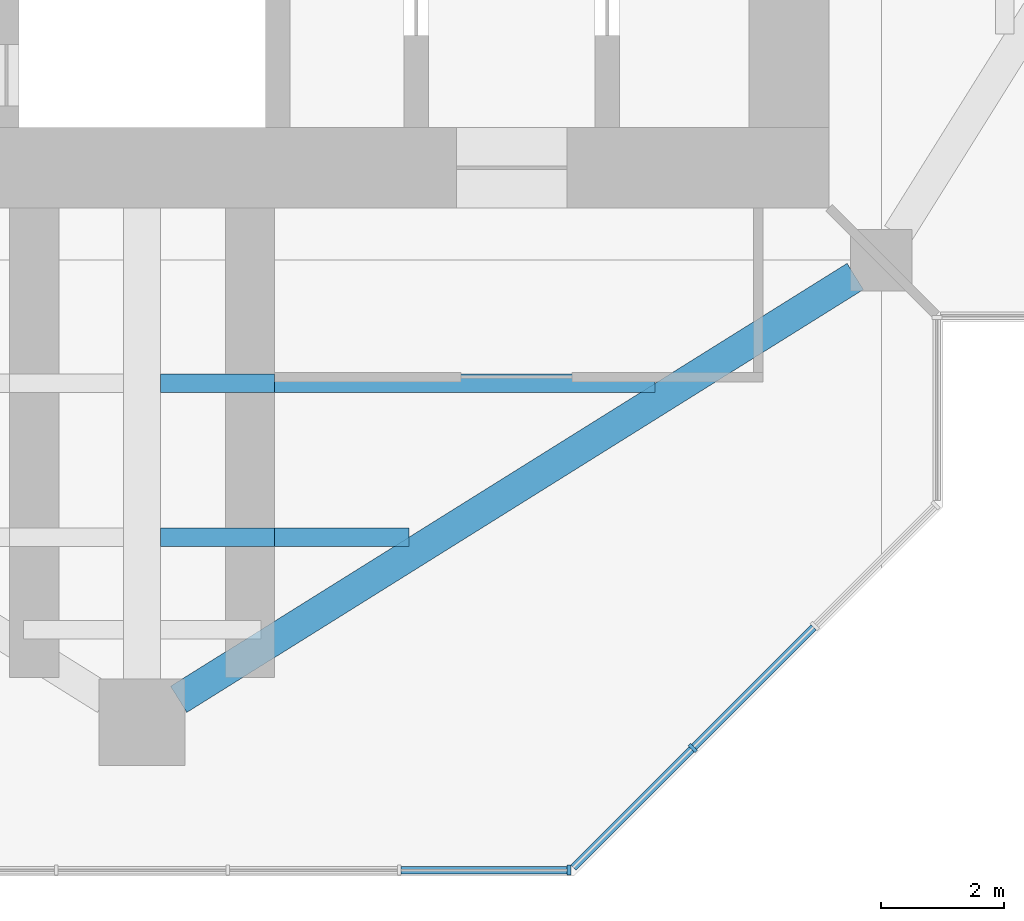
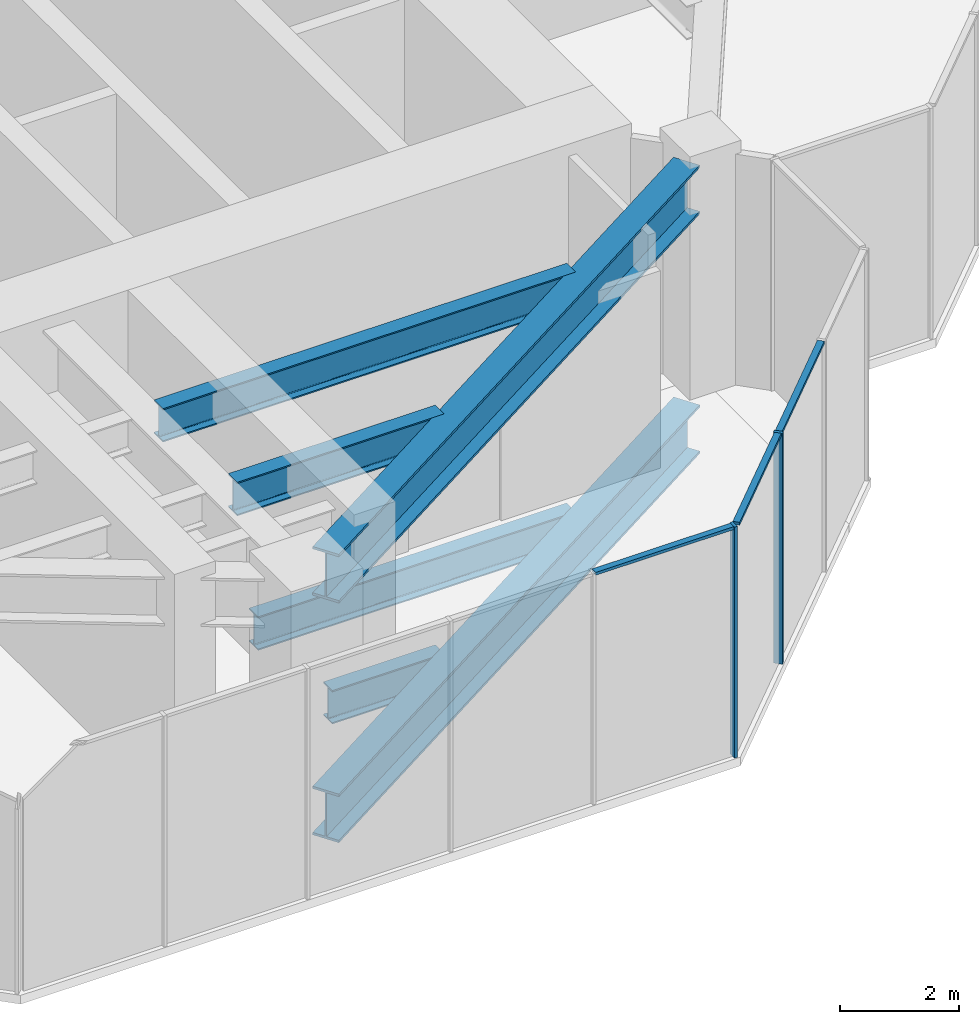
# One storey, part 3 of 10: 6 beams, 5 members, 2 elements without a shape of their own.
"""IFC4 building model written with IfcOpenShell, lengths in metres."""

from ifc_helpers import new_model, si_unit, direction, frame, origin, origin_2d, place, context, subcontext, project, spatial, rectangle, i_section, extrude, material, material_profile, profile_set, type_object, element, aggregate, save


model = new_model("IFC4")

# Units and contexts
model_context = context("Model", 3, precision=1e-05, world=origin(), true_north=direction((0.0, 1.0)))
body_context = subcontext(model_context, "Body", "Model", "MODEL_VIEW")
ifc_project = project(units=[si_unit("LENGTHUNIT", "METRE"), si_unit("AREAUNIT", "SQUARE_METRE"), si_unit("VOLUMEUNIT", "CUBIC_METRE"), si_unit("PLANEANGLEUNIT", "RADIAN"), si_unit("MASSUNIT", "GRAM", prefix="KILO")], contexts=[model_context])

# Site, building, storey
site_placement = place(None, origin())
site = spatial("IfcSite", under=ifc_project, at=site_placement, CompositionType="ELEMENT")
building_placement = place(site_placement, origin())
building = spatial("IfcBuilding", under=site, at=building_placement, Name="Mizan Broadcast Tower", CompositionType="ELEMENT")
storey_placement = place(building_placement, frame((0.0, 0.0, 311.300048828125)))
storey = spatial("IfcBuildingStorey", under=building, at=storey_placement, Name="L74", CompositionType="ELEMENT", Elevation=311.300048828125)

# Beams
ifc_material_1 = material(Name="Steel S460", Category="steel")
ifc_material_profile_1 = material_profile(ifc_material_1, i_section(OverallWidth=0.5, OverallDepth=1.0, WebThickness=0.02490234375, FlangeThickness=0.050048828125, at=origin_2d()), Name="WPG 1000x500")
ifc_profile_set_1 = profile_set([ifc_material_profile_1], Name="Steel S460")
beam_type_1 = type_object("IfcBeamType", Name="GIRDER WPG 1000x500", PredefinedType="BEAM", material=ifc_profile_set_1)
for number, where, z_axis, x_axis, name in (
    (1, (11.575927734375, -12.264892578125, -0.679931640625), (-0.847998304005, -0.529998940003, 0.0), (0.529998940003, -0.847998304005, 0.0), "Girder WPG 1000x500 L74 south arm"),
    (2, (11.575927734375, -12.264892578125, 4.25), (-0.847998304005, -0.529998940003, 0.0), (0.529998940003, -0.847998304005, 0.0), "Girder WPG 1000x500 L74 south arm"),
):
    element("IfcBeam", number, at=place(storey_placement, frame(where, z_axis=z_axis, x_axis=x_axis)), inside=storey, type_object=beam_type_1, Name=name, PredefinedType="BEAM", context=body_context, shape_type="SweptSolid", body=[
        extrude(i_section(OverallWidth=0.5, OverallDepth=1.0, WebThickness=0.02490234375, FlangeThickness=0.050048828125, at=origin_2d()), origin(), (0.0, 0.0, 1.0), 12.950927734375),
    ])

# Curtain wall, member
ifc_material_2 = material(Name="Aluminium framed glazing", Category="aluminium")
curtain_wall_type = type_object("IfcCurtainWallType", Name="LANTERN", PredefinedType="USERDEFINED", material=ifc_material_2)
curtain_wall_1_placement = place(storey_placement, origin())
curtain_wall_1 = element("IfcCurtainWall", 3, at=curtain_wall_1_placement, inside=storey, type_object=curtain_wall_type, Name="Lantern L74 S end", ObjectType="LANTERN", PredefinedType="USERDEFINED")
ifc_material_3 = material(Name="Aluminium, pale anodised", Category="aluminium")
ifc_material_profile_2 = material_profile(ifc_material_3, rectangle(XDim=0.159912109375, YDim=0.06005859375, at=origin_2d()), Name="MULLION 160x60")
ifc_profile_set_2 = profile_set([ifc_material_profile_2], Name="Aluminium, pale anodised")
member_type_1 = type_object("IfcMemberType", Name="INNER SKIN MULLION 60x160", PredefinedType="MULLION", material=ifc_profile_set_2)
member_1_placement = place(storey_placement, frame((6.928466796875, -21.89990234375, 0.0), z_axis=(0.0, 0.0, 1.0), x_axis=(0.0, 1.0, 0.0)))
member_1 = element("IfcMember", 4, at=member_1_placement, type_object=member_type_1, Name="Lantern L74 S end mullion 6", PredefinedType="MULLION", context=body_context, shape_type="SweptSolid", body=[
    extrude(rectangle(XDim=0.159912109375, YDim=0.06005859375, at=origin_2d()), origin(), (0.0, 0.0, 1.0), 4.75),
])

curtain_wall_2_placement = place(storey_placement, origin())
curtain_wall_2 = element("IfcCurtainWall", 5, at=curtain_wall_2_placement, inside=storey, type_object=curtain_wall_type, Name="Lantern L74 S chamfer", ObjectType="LANTERN", PredefinedType="USERDEFINED")
member_2_placement = place(storey_placement, frame((8.93896484375, -19.91943359375, 0.0), z_axis=(0.0, 0.0, 1.0), x_axis=(-0.707106781187, 0.707106781187, 0.0)))
member_2 = element("IfcMember", 6, at=member_2_placement, type_object=member_type_1, Name="Lantern L74 S chamfer mullion 2", PredefinedType="MULLION", context=body_context, shape_type="SweptSolid", body=[
    extrude(rectangle(XDim=0.159912109375, YDim=0.06005859375, at=origin_2d()), origin(), (0.0, 0.0, 1.0), 4.75),
])

# Member
ifc_material_4 = material(Name="Aluminium, pale anodised", Category="aluminium")
ifc_material_profile_3 = material_profile(ifc_material_4, rectangle(XDim=0.1201171875, YDim=0.06005859375, at=origin_2d()), Name="TRANSOM 120x60")
ifc_profile_set_3 = profile_set([ifc_material_profile_3], Name="Aluminium, pale anodised")
member_type_2 = type_object("IfcMemberType", Name="INNER SKIN TRANSOM 60x120", PredefinedType="USERDEFINED", material=ifc_profile_set_3)
member_3_placement = place(storey_placement, frame((4.205078125, -21.89990234375, 4.719970703125), z_axis=(1.0, 0.0, 0.0), x_axis=(0.0, 1.0, 0.0)))
member_3 = element("IfcMember", 7, at=member_3_placement, type_object=member_type_2, Name="Lantern L74 S end transom 5.1", ObjectType="TRANSOM", PredefinedType="USERDEFINED", context=body_context, shape_type="SweptSolid", body=[
    extrude(rectangle(XDim=0.1201171875, YDim=0.06005859375, at=origin_2d()), origin(), (0.0, 0.0, 1.0), 2.693603515625),
])

aggregate(curtain_wall_1, [member_1, member_3])

member_4_placement = place(storey_placement, frame((7.0009765625, -21.857666015625, 4.719970703125), z_axis=(0.707061749709, 0.707151809797, 0.0), x_axis=(-0.707151809797, 0.707061749709, 0.0)))
member_4 = element("IfcMember", 8, at=member_4_placement, type_object=member_type_2, Name="Lantern L74 S chamfer transom 1.1", ObjectType="TRANSOM", PredefinedType="USERDEFINED", context=body_context, shape_type="SweptSolid", body=[
    extrude(rectangle(XDim=0.1201171875, YDim=0.06005859375, at=origin_2d()), origin(), (0.0, 0.0, 1.0), 2.7109375),
])

member_5_placement = place(storey_placement, frame((8.960205078125, -19.898193359375, 4.719970703125), z_axis=(0.707106781187, 0.707106781187, 0.0), x_axis=(-0.707106781187, 0.707106781187, 0.0)))
member_5 = element("IfcMember", 9, at=member_5_placement, type_object=member_type_2, Name="Lantern L74 S chamfer transom 2.1", ObjectType="TRANSOM", PredefinedType="USERDEFINED", context=body_context, shape_type="SweptSolid", body=[
    extrude(rectangle(XDim=0.1201171875, YDim=0.06005859375, at=origin_2d()), origin(), (0.0, 0.0, 1.0), 2.74072265625),
])

aggregate(curtain_wall_2, [member_2, member_4, member_5])

# Beams
ifc_material_5 = material(Name="Steel S355", Category="steel")
ifc_material_profile_4 = material_profile(ifc_material_5, i_section(OverallWidth=0.300048828125, OverallDepth=0.68994140625, WebThickness=0.014404296875, FlangeThickness=0.027099609375, FilletRadius=0.027099609375, at=origin_2d()), Name="HEA 700")
ifc_profile_set_4 = profile_set([ifc_material_profile_4], Name="Steel S355")
beam_type_2 = type_object("IfcBeamType", Name="SECONDARY BEAM HEA 700", PredefinedType="JOIST", material=ifc_profile_set_4)
beam_1_placement = place(storey_placement, frame((8.328369140625, -14.0, -0.525146484375), z_axis=(-1.0, 0.0, 0.0), x_axis=(0.0, -1.0, 0.0)))
element("IfcBeam", 10, at=beam_1_placement, inside=storey, type_object=beam_type_2, Name="Secondary beam HEA 700 L74 south arm", PredefinedType="JOIST", context=body_context, shape_type="SweptSolid", body=[
    extrude(i_section(OverallWidth=0.300048828125, OverallDepth=0.68994140625, WebThickness=0.014404296875, FlangeThickness=0.027099609375, FilletRadius=0.027099609375, at=origin_2d()), origin(), (0.0, 0.0, 1.0), 6.178466796875),
])
beam_2_placement = place(storey_placement, frame((4.328369140625, -16.5, -0.525146484375), z_axis=(-1.0, 0.0, 0.0), x_axis=(0.0, -1.0, 0.0)))
element("IfcBeam", 11, at=beam_2_placement, inside=storey, type_object=beam_type_2, Name="Secondary beam HEA 700 L74 south arm", PredefinedType="JOIST", context=body_context, shape_type="SweptSolid", body=[
    extrude(i_section(OverallWidth=0.300048828125, OverallDepth=0.68994140625, WebThickness=0.014404296875, FlangeThickness=0.027099609375, FilletRadius=0.027099609375, at=origin_2d()), origin(), (0.0, 0.0, 1.0), 2.178466796875),
])
beam_3_placement = place(storey_placement, frame((8.328369140625, -14.0, 4.405029296875), z_axis=(-1.0, 0.0, 0.0), x_axis=(0.0, -1.0, 0.0)))
element("IfcBeam", 12, at=beam_3_placement, inside=storey, type_object=beam_type_2, Name="Secondary beam HEA 700 L74 south arm", PredefinedType="JOIST", context=body_context, shape_type="SweptSolid", body=[
    extrude(i_section(OverallWidth=0.300048828125, OverallDepth=0.68994140625, WebThickness=0.014404296875, FlangeThickness=0.027099609375, FilletRadius=0.027099609375, at=origin_2d()), origin(), (0.0, 0.0, 1.0), 8.0283203125),
])
beam_4_placement = place(storey_placement, frame((4.328369140625, -16.5, 4.405029296875), z_axis=(-1.0, 0.0, 0.0), x_axis=(0.0, -1.0, 0.0)))
element("IfcBeam", 13, at=beam_4_placement, inside=storey, type_object=beam_type_2, Name="Secondary beam HEA 700 L74 south arm", PredefinedType="JOIST", context=body_context, shape_type="SweptSolid", body=[
    extrude(i_section(OverallWidth=0.300048828125, OverallDepth=0.68994140625, WebThickness=0.014404296875, FlangeThickness=0.027099609375, FilletRadius=0.027099609375, at=origin_2d()), origin(), (0.0, 0.0, 1.0), 4.0283203125),
])

save(model, "model.ifc")
